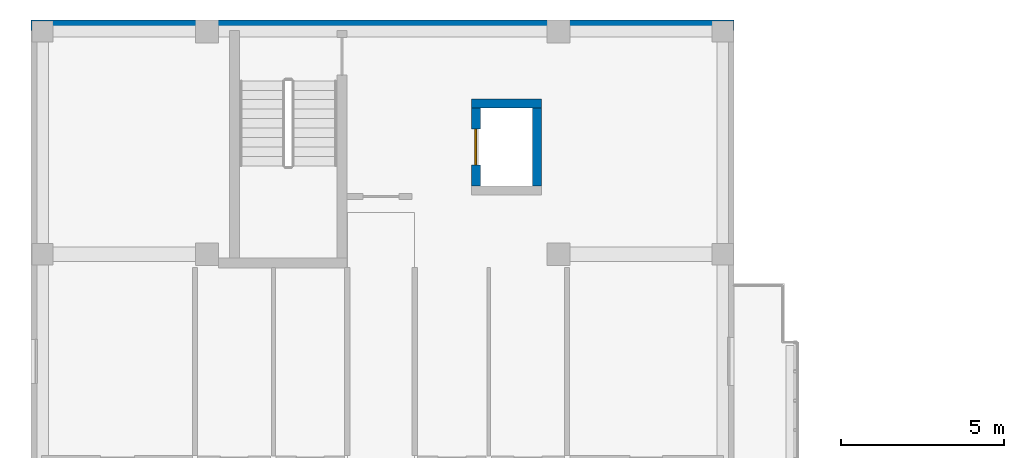
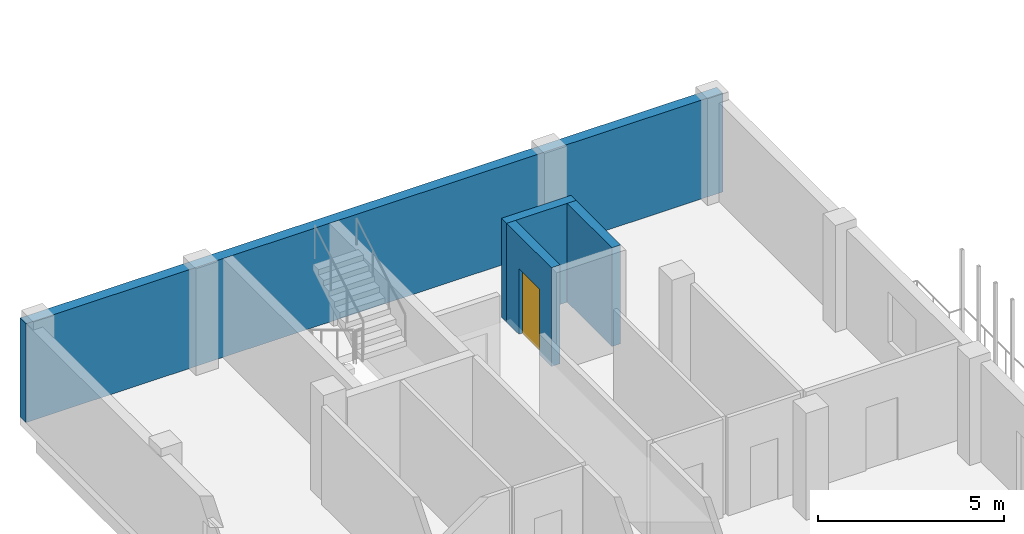
# One storey, part 44 of 73: 4 walls, 1 door, 1 opening.
"""IFC4 building model written with IfcOpenShell, lengths in metres."""

from ifc_helpers import new_model, si_unit, derived_unit, direction, frame, frame_2d, origin, place, context, subcontext, project, spatial, rectangle, extrude, material, layer, layer_set, type_object, element, fill, save


model = new_model("IFC4")

# Units and contexts
model_context = context("Model", 3, precision=1e-05, world=origin(), true_north=direction((0.0, 1.0)))
body_context = subcontext(model_context, "Body", "Model", "MODEL_VIEW")
ifc_project = project(units=[si_unit("LENGTHUNIT", "METRE"), si_unit("AREAUNIT", "SQUARE_METRE"), si_unit("VOLUMEUNIT", "CUBIC_METRE"), si_unit("PLANEANGLEUNIT", "RADIAN"), si_unit("MASSUNIT", "GRAM", prefix="KILO"), derived_unit("THERMALTRANSMITTANCEUNIT", [(si_unit("MASSUNIT", "GRAM", prefix="KILO"), 1), (si_unit("TIMEUNIT", "SECOND"), -3), (si_unit("THERMODYNAMICTEMPERATUREUNIT", "KELVIN"), -1)])], contexts=[model_context])

# Site, building, storey
site_placement = place(None, origin())
site = spatial("IfcSite", under=ifc_project, at=site_placement, CompositionType="ELEMENT")
building_placement = place(site_placement, origin())
building = spatial("IfcBuilding", under=site, at=building_placement, Name="Ochrekiln Boulevard Commons", CompositionType="ELEMENT")
storey_placement = place(building_placement, frame((0.0, 0.0, 8.574951171875)))
storey = spatial("IfcBuildingStorey", under=building, at=storey_placement, Name="L02", CompositionType="ELEMENT", Elevation=8.574951171875)

# Walls
ifc_material_1 = material(Name="Desert ochre clinker brick masonry ASTM C216 Grade SW", Category="masonry")
ifc_layer_1 = layer(ifc_material_1, 0.320068359375)
ifc_layer_set_1 = layer_set([ifc_layer_1], Name="Desert ochre clinker brick masonry ASTM C216 Grade SW")
wall_type_1 = type_object("IfcWallType", Name="WL-EXT-OCHRE-320", PredefinedType="SOLIDWALL", material=ifc_layer_set_1)
wall_1_placement = place(storey_placement, frame((0.0, 118.639892578125, 0.0), z_axis=(0.0, 0.0, 1.0), x_axis=(1.0, 0.0, 0.0)))
element("IfcWall", 1, at=wall_1_placement, inside=storey, type_object=wall_type_1, Name="Block A L02 N Exterior Wall", PredefinedType="SOLIDWALL", context=body_context, shape_type="SweptSolid", body=[
    extrude(rectangle(XDim=21.60009765625, YDim=0.320068359375, at=frame_2d((10.800048828125, 0.0))), origin(), (0.0, 0.0, 1.0), 3.239990234375),
])
ifc_material_2 = material(Name="Concrete C40/50", Category="concrete")
ifc_layer_2 = layer(ifc_material_2, 0.27490234375)
ifc_layer_set_2 = layer_set([ifc_layer_2], Name="Concrete C40/50")
wall_type_2 = type_object("IfcWallType", Name="WL-SH-275", PredefinedType="SHEAR", material=ifc_layer_set_2)
wall_2_placement = place(storey_placement, frame((13.52490234375, 116.237548828125, 0.0), z_axis=(0.0, 0.0, 1.0), x_axis=(1.0, 0.0, 0.0)))
element("IfcWall", 2, at=wall_2_placement, inside=storey, type_object=wall_type_2, Name="Elevator FF-A2 L02 Hoistway Shear Wall", PredefinedType="SHEAR", context=body_context, shape_type="SweptSolid", body=[
    extrude(rectangle(XDim=2.150146484375, YDim=0.27490234375, at=frame_2d((1.0751953125, 0.0))), origin(), (0.0, 0.0, 1.0), 3.239990234375),
])

# Wall, opening, door
wall_3_placement = place(storey_placement, frame((13.66259765625, 113.699951171875, 0.0), z_axis=(0.0, 0.0, 1.0), x_axis=(0.0, 1.0, 0.0)))
wall_3 = element("IfcWall", 3, at=wall_3_placement, inside=storey, type_object=wall_type_2, Name="Elevator FF-A2 L02 Hoistway Shear Wall", PredefinedType="SHEAR", context=body_context, shape_type="SweptSolid", body=[
    extrude(rectangle(XDim=2.400146484375, YDim=0.27490234375, at=frame_2d((1.2001953125, 0.0))), origin(), (0.0, 0.0, 1.0), 3.239990234375),
])
opening_placement = place(wall_3_placement, frame((0.64990234375, 0.0, 0.0)))
opening = element("IfcOpeningElement", 4, at=opening_placement, cuts=wall_3, Name="Opening LD-FF-A2-L02", PredefinedType="OPENING", context=body_context, shape_type="SweptSolid", body=[
    extrude(rectangle(XDim=1.10009765625, YDim=2.14990234375, at=frame_2d((0.550048828125, 1.074951171875))), frame((0.0, 0.1474609375, 0.0), z_axis=(0.0, -1.0, 0.0), x_axis=(1.0, 0.0, 0.0)), (0.0, 0.0, 1.0), 0.294921875),
])
ifc_material_3 = material(Name="Brushed stainless steel 316 elevator cab and doors", Category="steel")
door_type = type_object("IfcDoorType", Name="DR-LIFT-LD90", OperationType="SLIDING_TO_LEFT", PredefinedType="DOOR", material=ifc_material_3)
door_placement = place(opening_placement, origin())
door = element("IfcDoor", 5, at=door_placement, inside=storey, type_object=door_type, Name="Elevator FF-A2 L02 Sliding Landing Door LD-FF-A2-L02", OperationType="SLIDING_TO_LEFT", OverallHeight=2.14990234375, OverallWidth=1.10009765625, PredefinedType="DOOR", context=body_context, shape_type="SweptSolid", body=[
    extrude(rectangle(XDim=1.10009765625, YDim=2.14990234375, at=frame_2d((0.550048828125, 1.074951171875))), frame((0.0, 0.02490234375, 0.0), z_axis=(0.0, -1.0, 0.0), x_axis=(1.0, 0.0, 0.0)), (0.0, 0.0, 1.0), 0.050048828125),
])
fill(opening, door)

# Wall
wall_4_placement = place(storey_placement, frame((15.53759765625, 113.699951171875, 0.0), z_axis=(0.0, 0.0, 1.0), x_axis=(0.0, 1.0, 0.0)))
element("IfcWall", 6, at=wall_4_placement, inside=storey, type_object=wall_type_2, Name="Elevator FF-A2 L02 Hoistway Shear Wall", PredefinedType="SHEAR", context=body_context, shape_type="SweptSolid", body=[
    extrude(rectangle(XDim=2.400146484375, YDim=0.27490234375, at=frame_2d((1.2001953125, 0.0))), origin(), (0.0, 0.0, 1.0), 3.239990234375),
])

save(model, "model.ifc")
